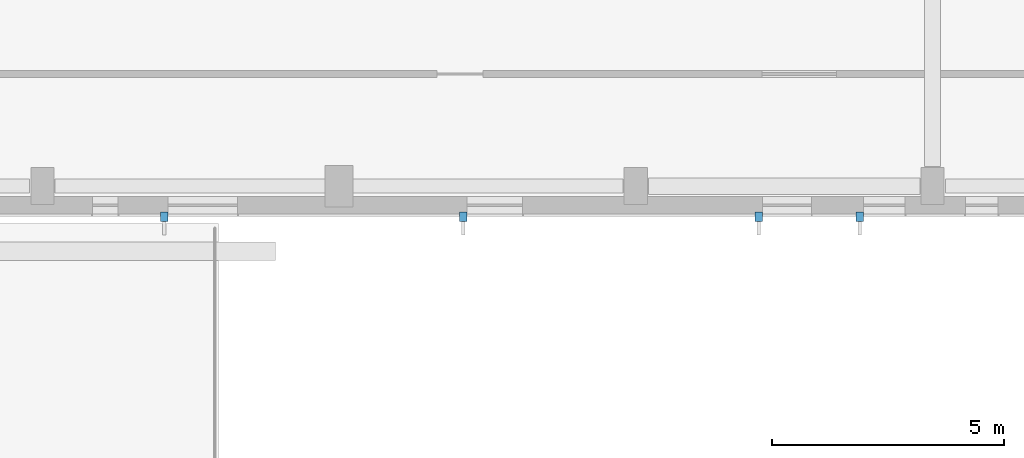
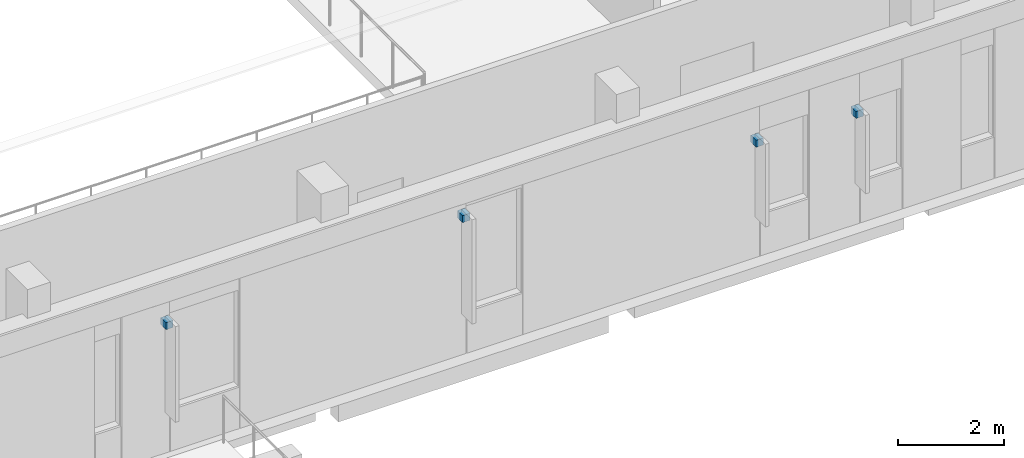
# One storey, part 53 of 73: 4 discrete accessories.
"""IFC4 building model written with IfcOpenShell, lengths in metres."""

from ifc_helpers import new_model, si_unit, direction, frame, origin, origin_2d, place, context, subcontext, project, spatial, rectangle, extrude, material, type_object, element, save


model = new_model("IFC4")

# Units and contexts
model_context = context("Model", 3, precision=1e-05, world=origin(), true_north=direction((0.0, 1.0)))
body_context = subcontext(model_context, "Body", "Model", "MODEL_VIEW")
ifc_project = project(units=[si_unit("LENGTHUNIT", "METRE"), si_unit("AREAUNIT", "SQUARE_METRE"), si_unit("VOLUMEUNIT", "CUBIC_METRE"), si_unit("PLANEANGLEUNIT", "RADIAN"), si_unit("MASSUNIT", "GRAM", prefix="KILO")], contexts=[model_context])

# Site, building, storey
site_placement = place(None, origin())
site = spatial("IfcSite", under=ifc_project, at=site_placement, CompositionType="ELEMENT")
building_placement = place(site_placement, origin())
building = spatial("IfcBuilding", under=site, at=building_placement, Name="Mzevani Central Library", CompositionType="ELEMENT")
storey_placement = place(building_placement, frame((0.0, 0.0, 9.60009765625)))
storey = spatial("IfcBuildingStorey", under=building, at=storey_placement, Name="L02", CompositionType="ELEMENT", Elevation=9.60009765625)

# Discrete accessories
ifc_material = material(Name="Steel S355J2", Category="steel")
discrete_accessory_type = type_object("IfcDiscreteAccessoryType", Name="Stainless Facade Support Bracket", PredefinedType="BRACKET", material=ifc_material)
for number, where, z_axis, x_axis, name in (
    (1, (157.429931640625, 42.43994140625, 2.52001953125), (0.0, 0.0, 1.0), (-1.0, 0.0, 0.0), "L02 V1 Fin Support Bracket (83)"),
    (2, (155.2548828125, 42.43994140625, 2.6201171875), (0.0, 0.0, 1.0), (-1.0, 0.0, 0.0), "L02 V1 Fin Support Bracket (84)"),
    (3, (148.8798828125, 42.43994140625, 3.1201171875), (0.0, 0.0, 1.0), (-1.0, 0.0, 0.0), "L02 V1 Fin Support Bracket (85)"),
    (4, (142.429931640625, 42.43994140625, 2.919921875), (0.0, 0.0, 1.0), (-1.0, 0.0, 0.0), "L02 V1 Fin Support Bracket (86)"),
):
    element("IfcDiscreteAccessory", number, at=place(storey_placement, frame(where, z_axis=z_axis, x_axis=x_axis)), inside=storey, type_object=discrete_accessory_type, Name=name, PredefinedType="BRACKET", context=body_context, shape_type="SweptSolid", body=[
        extrude(rectangle(XDim=0.159912109375, YDim=0.199951171875, at=origin_2d()), origin(), (0.0, 0.0, 1.0), 0.159912109375),
    ])

save(model, "model.ifc")
